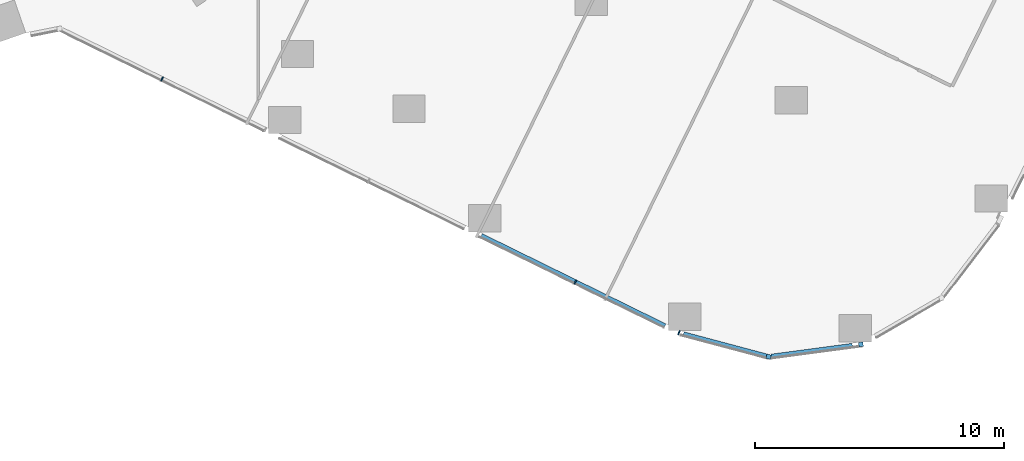
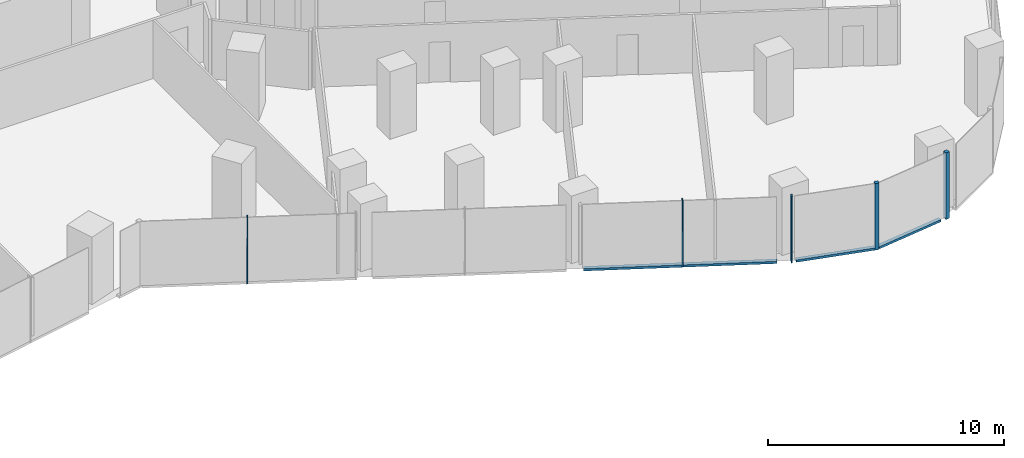
# One storey, part 8 of 38: 8 members, 3 elements without a shape of their own.
"""IFC4 building model written with IfcOpenShell, lengths in metres."""

import ifcopenshell
import ifcopenshell.guid

model = None  # the IFC model being written
_history = None  # IfcOwnerHistory: only IFC2X3 demands one
_inside = {}  # id of a spatial element -> (the spatial element, [elements in it])
_under = {}  # id of a project, library or spatial element -> (it, [spatial elements below it])
_declared = {}  # id of a project -> (the project, [libraries it declares])
_typed = {}  # id of a type object -> (the type object, [elements of that type])
_made_of = {}  # id of a material, layer set ... -> (it, [elements and type objects made of it])


def new_model(schema):
    """Start an empty IFC model of exactly this schema.

    Asked for "IFC4X3", IfcOpenShell would pick the latest addendum, in which some entities
    have other attributes; the version numbers below select the first issue.
    IFC2X3 requires an IfcOwnerHistory on every rooted entity: one is made here for all.
    """
    global model, _history
    if schema == "IFC4X3":
        model = ifcopenshell.file(schema_version=(4, 3, 0, 0))
    else:
        model = ifcopenshell.file(schema=schema)
    _inside.clear()
    _under.clear()
    _declared.clear()
    _typed.clear()
    _made_of.clear()
    _history = None
    if model.schema == "IFC2X3":
        org = make("IfcOrganization", Name="unknown")
        user = make(
            "IfcPersonAndOrganization",
            ThePerson=make("IfcPerson", FamilyName="unknown"),
            TheOrganization=org,
        )
        app = make(
            "IfcApplication",
            ApplicationDeveloper=org,
            Version="unknown",
            ApplicationFullName="unknown",
            ApplicationIdentifier="unknown",
        )
        _history = make(
            "IfcOwnerHistory",
            OwningUser=user,
            OwningApplication=app,
            ChangeAction="ADDED",
            CreationDate=0,
        )
    return model


def make(cls, **values):
    """One entity of the class cls with the attributes given. An attribute that is None is left unset."""
    return model.create_entity(
        cls, **{name: value for name, value in values.items() if value is not None}
    )


def rooted(cls, **values):
    """An entity with a GlobalId (a new one), such as an element, a storey or a relation."""
    return make(cls, GlobalId=ifcopenshell.guid.new(), OwnerHistory=_history, **values)


def si_unit(unit_type, name, prefix=None):
    """IfcSIUnit, for example si_unit("LENGTHUNIT", "METRE", prefix="MILLI")."""
    return make("IfcSIUnit", UnitType=unit_type, Prefix=prefix, Name=name)


def assignment(units):
    """IfcUnitAssignment: the units of a project."""
    return None if units is None else make("IfcUnitAssignment", Units=units)


def point(xyz):
    """IfcCartesianPoint."""
    return None if xyz is None else make("IfcCartesianPoint", Coordinates=xyz)


def direction(xyz):
    """IfcDirection."""
    return None if xyz is None else make("IfcDirection", DirectionRatios=xyz)


def frame(location, z_axis=None, x_axis=None):
    """IfcAxis2Placement3D, a coordinate frame: its origin and axes. An axis left out is left unset."""
    return make(
        "IfcAxis2Placement3D",
        Location=point(location),
        Axis=direction(z_axis),
        RefDirection=direction(x_axis),
    )


def frame_2d(location, x_axis=None):
    """IfcAxis2Placement2D, a coordinate frame in the plane: its origin and x axis."""
    return make(
        "IfcAxis2Placement2D", Location=point(location), RefDirection=direction(x_axis)
    )


def origin():
    """The frame at (0, 0, 0) with its axes left unset."""
    return frame((0.0, 0.0, 0.0))


def origin_2d():
    """The frame at (0, 0) in the plane with its x axis left unset."""
    return frame_2d((0.0, 0.0))


def place(relative_to, where):
    """IfcLocalPlacement: puts the frame where relative to a parent placement (None: the world)."""
    return make(
        "IfcLocalPlacement", PlacementRelTo=relative_to, RelativePlacement=where
    )


def context(
    kind, dimensions, precision=None, world=None, true_north=None, identifier=None
):
    """IfcGeometricRepresentationContext, for example the 3D "Model" context."""
    return make(
        "IfcGeometricRepresentationContext",
        ContextIdentifier=identifier,
        ContextType=kind,
        CoordinateSpaceDimension=dimensions,
        Precision=precision,
        WorldCoordinateSystem=world,
        TrueNorth=true_north,
    )


def subcontext(parent, identifier, kind, view, scale=None):
    """IfcGeometricRepresentationSubContext, for example "Body" below "Model"."""
    return make(
        "IfcGeometricRepresentationSubContext",
        ContextIdentifier=identifier,
        ContextType=kind,
        ParentContext=parent,
        TargetScale=scale,
        TargetView=view,
    )


def project(units=None, contexts=None):
    """IfcProject with its units and contexts."""
    return rooted(
        "IfcProject",
        Name="project",
        RepresentationContexts=contexts,
        UnitsInContext=assignment(units),
    )


def spatial(cls, under=None, at=None, **own):
    """A site, building, storey or space (cls), placed at a placement, below another one or the project."""
    s = rooted(cls, ObjectPlacement=at, **own)
    if under is not None:
        _under.setdefault(under.id(), (under, []))[1].append(s)
    return s


def profile(cls, at=None, kind="AREA", **sizes):
    """A parametric profile (cls). Its sizes go by their IFC names, for example OverallWidth=200.0."""
    return make(cls, ProfileType=kind, Position=at, **sizes)


def rectangle(**sizes):
    """IfcRectangleProfileDef."""
    return profile("IfcRectangleProfileDef", **sizes)


def extrude(swept, where, along, depth):
    """IfcExtrudedAreaSolid: the profile swept, set in the frame where, extruded along a direction by depth."""
    return make(
        "IfcExtrudedAreaSolid",
        SweptArea=swept,
        Position=where,
        ExtrudedDirection=direction(along),
        Depth=depth,
    )


def shape(context_of_items, identifier, shape_type, items):
    """IfcShapeRepresentation: the items that make up one representation, for example the "Body"."""
    return make(
        "IfcShapeRepresentation",
        ContextOfItems=context_of_items,
        RepresentationIdentifier=identifier,
        RepresentationType=shape_type,
        Items=items,
    )


def material(Name=None, Category=None):
    """IfcMaterial."""
    return make("IfcMaterial", Name=Name, Category=Category)


def material_profile(
    of_material, cross_section, Name=None, Category=None, Priority=None
):
    """IfcMaterialProfile: a cross section and its material."""
    return make(
        "IfcMaterialProfile",
        Name=Name,
        Material=of_material,
        Profile=cross_section,
        Priority=Priority,
        Category=Category,
    )


def profile_set(profiles, Name=None, composite=None):
    """IfcMaterialProfileSet."""
    return make(
        "IfcMaterialProfileSet",
        Name=Name,
        MaterialProfiles=profiles,
        CompositeProfile=composite,
    )


def made_of(thing, what):
    """Note that an element or type object is made of a material, layer set ...; save() writes the relation."""
    if what is not None:
        _made_of.setdefault(what.id(), (what, []))[1].append(thing)
    return thing


def type_object(cls, material=None, **own):
    """A type object (cls), such as IfcWallType, which elements share."""
    return made_of(rooted(cls, **own), material)


def element(
    cls,
    number,
    at=None,
    inside=None,
    cuts=None,
    type_object=None,
    material=None,
    context=None,
    identifier="Body",
    shape_type=None,
    held_by="IfcProductDefinitionShape",
    body=None,
    shapes=None,
    **own,
):
    """One element of the class cls, such as IfcWall. Its Tag is "e" and its number.

    at: its placement. inside: the storey or other place that contains it. cuts: it is an
    opening in that element (IfcRelVoidsElement). A single representation is given by context,
    identifier, shape_type and body (its items); several are given by shapes. held_by: the class
    of the entity that holds the representations. save() writes the other relations.
    """
    e = rooted(cls, Tag="e%d" % number, ObjectPlacement=at, **own)
    if body is not None:
        shapes = [shape(context, identifier, shape_type, body)]
    if shapes is not None:
        e.Representation = make(held_by, Representations=shapes)
    if inside is not None:
        _inside.setdefault(inside.id(), (inside, []))[1].append(e)
    if cuts is not None:
        rooted(
            "IfcRelVoidsElement", RelatingBuildingElement=cuts, RelatedOpeningElement=e
        )
    if type_object is not None:
        _typed.setdefault(type_object.id(), (type_object, []))[1].append(e)
    return made_of(e, material)


def aggregate(whole, parts):
    """IfcRelAggregates: a whole, such as a stair, and the parts it consists of."""
    return rooted("IfcRelAggregates", RelatingObject=whole, RelatedObjects=parts)


def save(model, path):
    """Write the relations noted so far, then the file.

    IfcRelAggregates (storeys below a building ...), IfcRelContainedInSpatialStructure (elements
    in a storey), IfcRelDefinesByType, IfcRelAssociatesMaterial and IfcRelDeclares: one each for
    every whole, place, type object, material and project.
    """
    for whole, parts in _under.values():
        aggregate(whole, parts)
    for where, things in _inside.values():
        rooted(
            "IfcRelContainedInSpatialStructure",
            RelatedElements=things,
            RelatingStructure=where,
        )
    for kind, things in _typed.values():
        rooted("IfcRelDefinesByType", RelatedObjects=things, RelatingType=kind)
    for what, things in _made_of.values():
        rooted("IfcRelAssociatesMaterial", RelatedObjects=things, RelatingMaterial=what)
    for by, libraries in _declared.values():
        rooted("IfcRelDeclares", RelatingContext=by, RelatedDefinitions=libraries)
    model.write(path)


model = new_model("IFC4")

# Units and contexts
model_context = context("Model", 3, precision=1e-05, world=origin(), true_north=direction((0.0, 1.0)))
body_context = subcontext(model_context, "Body", "Model", "MODEL_VIEW")
ifc_project = project(units=[si_unit("LENGTHUNIT", "METRE"), si_unit("AREAUNIT", "SQUARE_METRE"), si_unit("VOLUMEUNIT", "CUBIC_METRE"), si_unit("PLANEANGLEUNIT", "RADIAN"), si_unit("MASSUNIT", "GRAM", prefix="KILO")], contexts=[model_context])

# Site, building, storey
site_placement = place(None, origin())
site = spatial("IfcSite", under=ifc_project, at=site_placement, CompositionType="ELEMENT")
building_placement = place(site_placement, origin())
building = spatial("IfcBuilding", under=site, at=building_placement, Name="Orlundy Tower", CompositionType="ELEMENT")
storey_placement = place(building_placement, frame((0.0, 0.0, 69.300048828125)))
storey = spatial("IfcBuildingStorey", under=building, at=storey_placement, Name="L16", CompositionType="ELEMENT", Elevation=69.300048828125)

# Curtain wall, member
ifc_material_1 = material(Name="Aluminium bronze anodised", Category="aluminium")
curtain_wall_type = type_object("IfcCurtainWallType", Name="CW1 wall", PredefinedType="NOTDEFINED", material=ifc_material_1)
curtain_wall_1_placement = place(storey_placement, origin())
curtain_wall_1 = element("IfcCurtainWall", 1, at=curtain_wall_1_placement, inside=storey, type_object=curtain_wall_type, Name="CW1 run 026", PredefinedType="NOTDEFINED")
ifc_material_2 = material(Name="Aluminium bronze anodised", Category="aluminium")
ifc_material_profile_1 = material_profile(ifc_material_2, rectangle(XDim=0.179931640625, YDim=0.179931640625, at=origin_2d()), Name="CW1 corner post 180x180")
ifc_profile_set_1 = profile_set([ifc_material_profile_1], Name="Aluminium bronze anodised")
member_type_1 = type_object("IfcMemberType", Name="CW1 corner post 180x180", PredefinedType="MULLION", material=ifc_profile_set_1)
member_1_placement = place(storey_placement, frame((44.23974609375, -40.991943359375, -0.400146484375), z_axis=(0.0, 0.0, 1.0), x_axis=(0.132163720098, -0.991227900682, 0.0)))
member_1 = element("IfcMember", 2, at=member_1_placement, type_object=member_type_1, Name="CW1 mullion 67", PredefinedType="MULLION", context=body_context, shape_type="SweptSolid", body=[
    extrude(rectangle(XDim=0.179931640625, YDim=0.179931640625, at=origin_2d()), origin(), (0.0, 0.0, 1.0), 3.4501953125),
])

curtain_wall_2_placement = place(storey_placement, origin())
curtain_wall_2 = element("IfcCurtainWall", 3, at=curtain_wall_2_placement, inside=storey, type_object=curtain_wall_type, Name="CW1 run 027", PredefinedType="NOTDEFINED")
member_2_placement = place(storey_placement, frame((40.529052734375, -41.486572265625, -0.400146484375), z_axis=(0.0, 0.0, 1.0), x_axis=(-0.25767944438, -0.966230461093, 0.0)))
member_2 = element("IfcMember", 4, at=member_2_placement, type_object=member_type_1, Name="CW1 mullion 68", PredefinedType="MULLION", context=body_context, shape_type="SweptSolid", body=[
    extrude(rectangle(XDim=0.179931640625, YDim=0.179931640625, at=origin_2d()), origin(), (0.0, 0.0, 1.0), 3.4501953125),
])

# Curtain wall, members
curtain_wall_3_placement = place(storey_placement, origin())
curtain_wall_3 = element("IfcCurtainWall", 5, at=curtain_wall_3_placement, inside=storey, type_object=curtain_wall_type, Name="CW1 run 00", PredefinedType="NOTDEFINED")
ifc_material_3 = material(Name="Aluminium bronze anodised", Category="aluminium")
ifc_material_profile_2 = material_profile(ifc_material_3, rectangle(XDim=0.179931640625, YDim=0.050048828125, at=origin_2d()), Name="CW1 mullion 50x180")
ifc_profile_set_2 = profile_set([ifc_material_profile_2], Name="Aluminium bronze anodised")
member_type_2 = type_object("IfcMemberType", Name="CW1 mullion 50x180", PredefinedType="MULLION", material=ifc_profile_set_2)
member_3_placement = place(storey_placement, frame((36.92236328125, -40.524658203125, -0.400146484375), z_axis=(0.0, 0.0, 1.0), x_axis=(-0.351009416126, -0.936371929198, 0.0)))
member_3 = element("IfcMember", 6, at=member_3_placement, type_object=member_type_2, Name="CW1 mullion 1", PredefinedType="MULLION", context=body_context, shape_type="SweptSolid", body=[
    extrude(rectangle(XDim=0.179931640625, YDim=0.050048828125, at=origin_2d()), origin(), (0.0, 0.0, 1.0), 3.4501953125),
])
member_4_placement = place(storey_placement, frame((32.758056640625, -38.478759765625, -0.400146484375), z_axis=(0.0, 0.0, 1.0), x_axis=(-0.440968989984, -0.897522339484, 0.0)))
member_4 = element("IfcMember", 7, at=member_4_placement, type_object=member_type_2, Name="CW1 mullion 2", PredefinedType="MULLION", context=body_context, shape_type="SweptSolid", body=[
    extrude(rectangle(XDim=0.179931640625, YDim=0.050048828125, at=origin_2d()), origin(), (0.0, 0.0, 1.0), 3.4501953125),
])
member_5_placement = place(storey_placement, frame((16.133544921875, -30.310791015625, -0.400146484375), z_axis=(0.0, 0.0, 1.0), x_axis=(-0.440968989984, -0.897522339484, 0.0)))
member_5 = element("IfcMember", 8, at=member_5_placement, type_object=member_type_2, Name="CW1 mullion 6", PredefinedType="MULLION", context=body_context, shape_type="SweptSolid", body=[
    extrude(rectangle(XDim=0.179931640625, YDim=0.050048828125, at=origin_2d()), origin(), (0.0, 0.0, 1.0), 3.4501953125),
])
ifc_material_4 = material(Name="Aluminium bronze anodised", Category="aluminium")
ifc_material_profile_3 = material_profile(ifc_material_4, rectangle(XDim=0.179931640625, YDim=0.1201171875, at=origin_2d()), Name="CW1 transom 180x120")
ifc_profile_set_3 = profile_set([ifc_material_profile_3], Name="Aluminium bronze anodised")
member_type_3 = type_object("IfcMemberType", Name="CW1 transom 180x120", PredefinedType="USERDEFINED", material=ifc_profile_set_3)
member_6_placement = place(storey_placement, frame((36.35791015625, -40.24755859375, -0.340087890625), z_axis=(-0.897508396763, 0.440997367045, 0.0), x_axis=(-0.440997367045, -0.897508396763, 0.0)))
member_6 = element("IfcMember", 9, at=member_6_placement, type_object=member_type_3, Name="CW1 transom", ObjectType="TRANSOM", PredefinedType="USERDEFINED", context=body_context, shape_type="SweptSolid", body=[
    extrude(rectangle(XDim=0.179931640625, YDim=0.1201171875, at=origin_2d()), origin(), (0.0, 0.0, 1.0), 8.23046875),
])
aggregate(curtain_wall_3, [member_3, member_4, member_5, member_6])

# Member
member_7_placement = place(storey_placement, frame((43.8935546875, -41.0380859375, -0.340087890625), z_axis=(-0.991234367235, -0.13211521189, 0.0), x_axis=(0.13211521189, -0.991234367235, 0.0)))
member_7 = element("IfcMember", 10, at=member_7_placement, type_object=member_type_3, Name="CW1 transom", ObjectType="TRANSOM", PredefinedType="USERDEFINED", context=body_context, shape_type="SweptSolid", body=[
    extrude(rectangle(XDim=0.179931640625, YDim=0.1201171875, at=origin_2d()), origin(), (0.0, 0.0, 1.0), 3.296630859375),
])

aggregate(curtain_wall_1, [member_1, member_7])

member_8_placement = place(storey_placement, frame((40.442138671875, -41.46337890625, -0.340087890625), z_axis=(-0.966229075732, 0.257684639064, 0.0), x_axis=(-0.257684639064, -0.966229075732, 0.0)))
member_8 = element("IfcMember", 11, at=member_8_placement, type_object=member_type_3, Name="CW1 transom", ObjectType="TRANSOM", PredefinedType="USERDEFINED", context=body_context, shape_type="SweptSolid", body=[
    extrude(rectangle(XDim=0.179931640625, YDim=0.1201171875, at=origin_2d()), origin(), (0.0, 0.0, 1.0), 3.455322265625),
])

aggregate(curtain_wall_2, [member_2, member_8])

save(model, "model.ifc")
